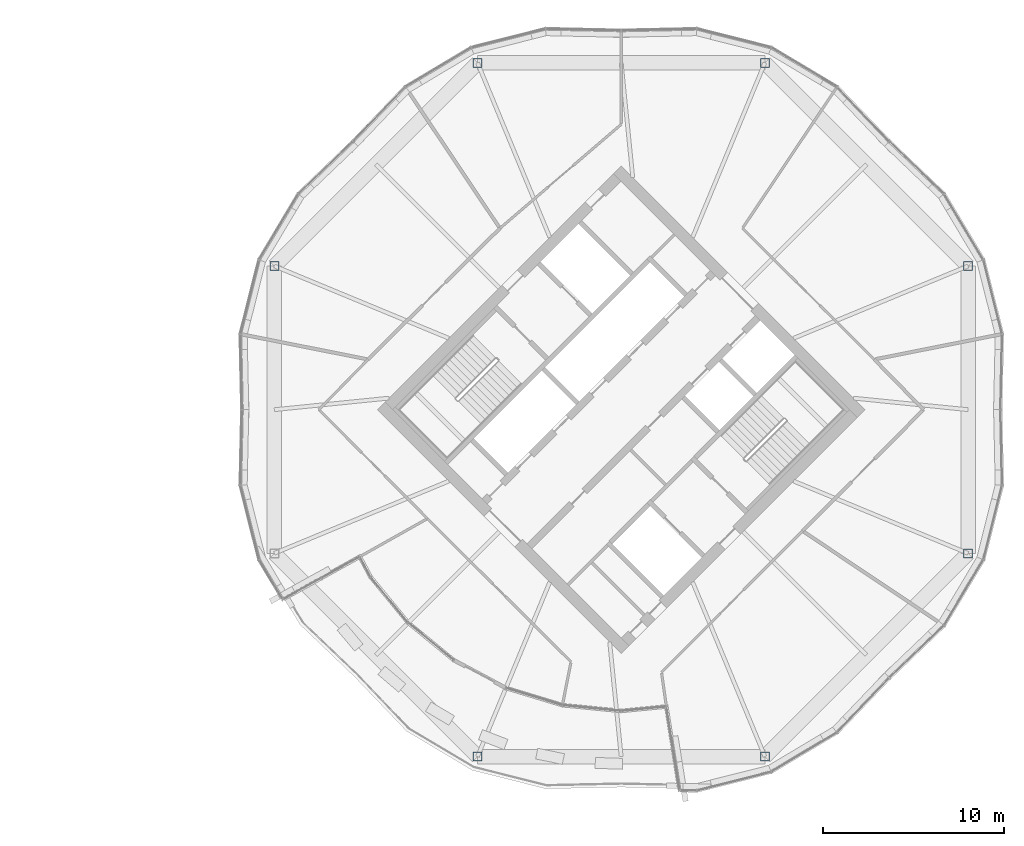
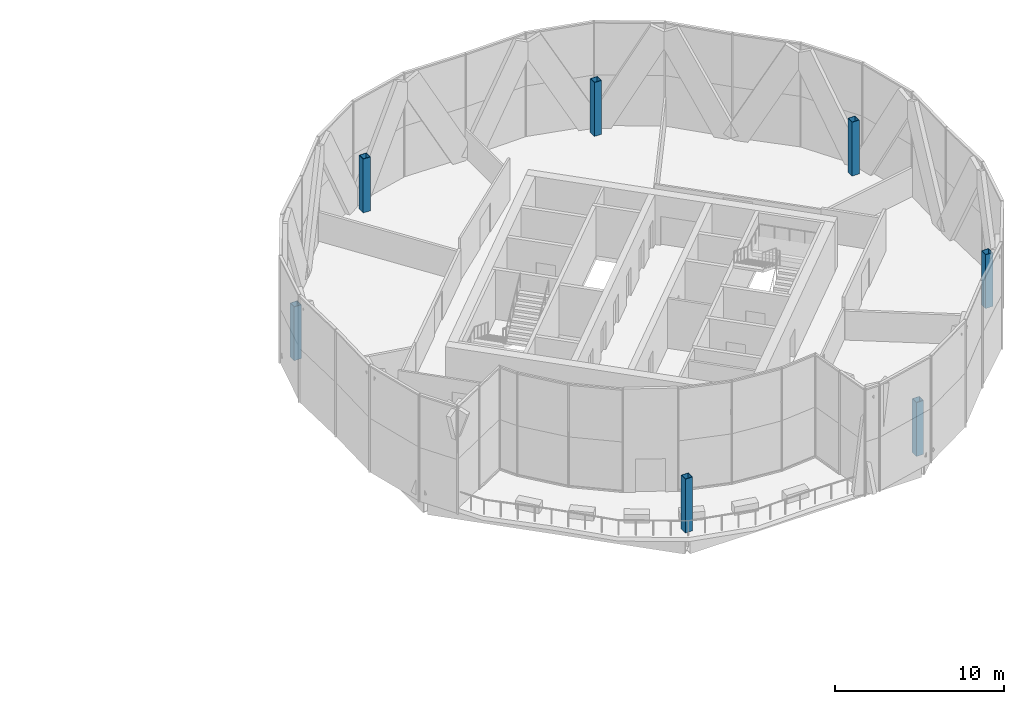
# One storey, part 2 of 26: 7 columns.
"""IFC4 building model written with IfcOpenShell, lengths in metres."""

from ifc_helpers import new_model, si_unit, direction, frame, origin, origin_2d, place, context, subcontext, project, spatial, hollow_rectangle, extrude, material, material_profile, profile_set, type_object, element, save


model = new_model("IFC4")

# Units and contexts
model_context = context("Model", 3, precision=1e-05, world=origin(), true_north=direction((0.0, 1.0)))
body_context = subcontext(model_context, "Body", "Model", "MODEL_VIEW")
ifc_project = project(units=[si_unit("LENGTHUNIT", "METRE"), si_unit("AREAUNIT", "SQUARE_METRE"), si_unit("VOLUMEUNIT", "CUBIC_METRE"), si_unit("PLANEANGLEUNIT", "RADIAN"), si_unit("MASSUNIT", "GRAM", prefix="KILO")], contexts=[model_context])

# Site, building, storey
site_placement = place(None, origin())
site = spatial("IfcSite", under=ifc_project, at=site_placement, CompositionType="ELEMENT")
building_placement = place(site_placement, origin())
building = spatial("IfcBuilding", under=site, at=building_placement, Name="Ogive Gate Towers", CompositionType="ELEMENT")
storey_placement = place(building_placement, frame((0.0, 0.0, 208.5)))
storey = spatial("IfcBuildingStorey", under=building, at=storey_placement, Name="L50", CompositionType="ELEMENT", Elevation=208.5)

# Columns
ifc_material = material(Name="Steel SM460", Category="steel")
ifc_material_profile = material_profile(ifc_material, hollow_rectangle(XDim=0.5, YDim=0.5, WallThickness=0.030029296875, at=origin_2d()), Name="BX 500x500x30")
ifc_profile_set = profile_set([ifc_material_profile], Name="Steel SM460")
column_type = type_object("IfcColumnType", Name="Perimeter post BX 500x500x30", PredefinedType="COLUMN", material=ifc_profile_set)
for number, where, z_axis, x_axis, name in (
    (1, (55.114990234375, 7.917724609375, 0.0), (0.0, 0.0, 1.0), (1.0, 0.0, 0.0), "T2/L50/SCL001"),
    (2, (43.917724609375, 19.114990234375, 0.0), (0.0, 0.0, 1.0), (1.0, 0.0, 0.0), "T2/L50/SCL002"),
    (3, (28.082275390625, 19.114990234375, 0.0), (0.0, 0.0, 1.0), (1.0, 0.0, 0.0), "T2/L50/SCL003"),
    (4, (16.885009765625, 7.917724609375, 0.0), (0.0, 0.0, 1.0), (1.0, 0.0, 0.0), "T2/L50/SCL004"),
    (5, (28.082275390625, -19.114990234375, 0.0), (0.0, 0.0, 1.0), (1.0, 0.0, 0.0), "T2/L50/SCL006"),
    (6, (43.917724609375, -19.114990234375, 0.0), (0.0, 0.0, 1.0), (1.0, 0.0, 0.0), "T2/L50/SCL007"),
    (7, (55.114990234375, -7.917724609375, 0.0), (0.0, 0.0, 1.0), (1.0, 0.0, 0.0), "T2/L50/SCL008"),
):
    element("IfcColumn", number, at=place(storey_placement, frame(where, z_axis=z_axis, x_axis=x_axis)), inside=storey, type_object=column_type, Name=name, PredefinedType="COLUMN", context=body_context, shape_type="SweptSolid", body=[
        extrude(hollow_rectangle(XDim=0.5, YDim=0.5, WallThickness=0.030029296875, at=origin_2d()), origin(), (0.0, 0.0, 1.0), 3.89990234375),
    ])

save(model, "model.ifc")
